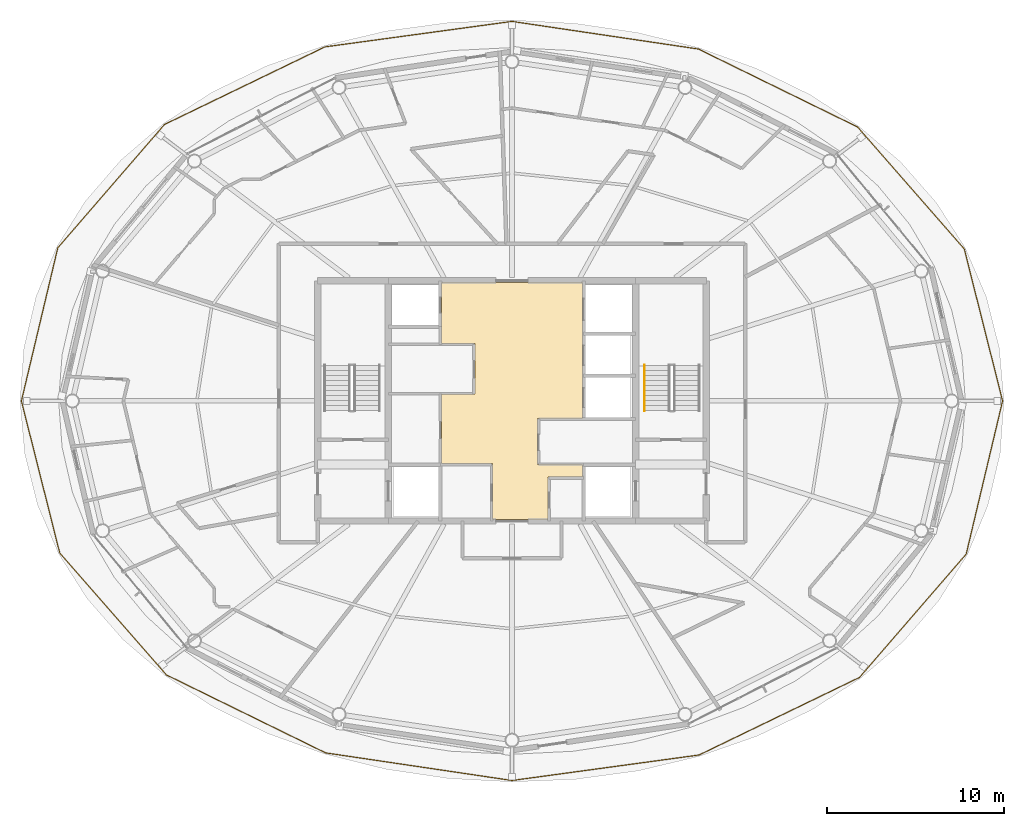
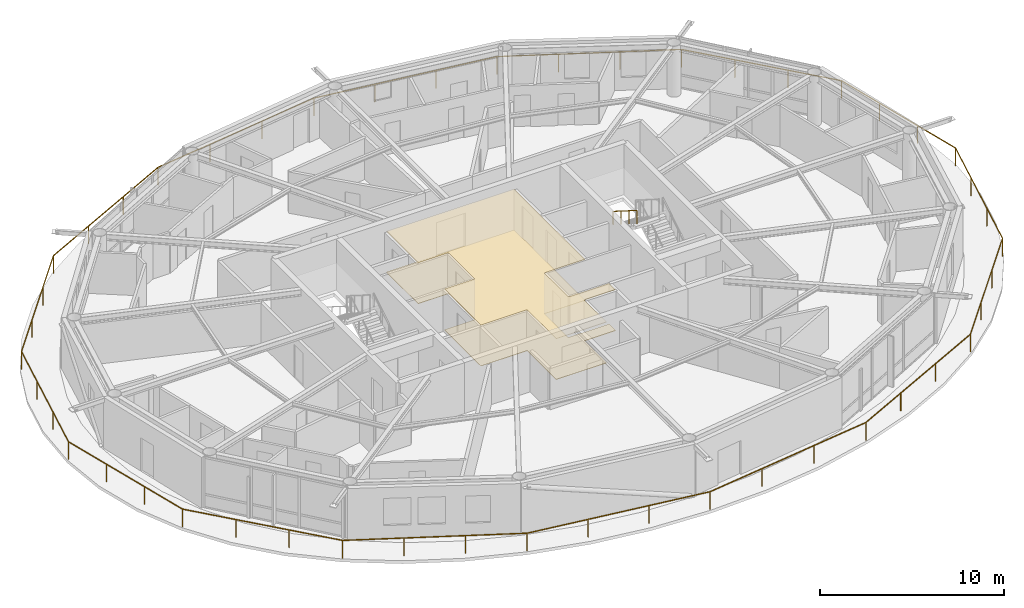
# One storey, part 21 of 22: 2 coverings, 2 railings.
"""IFC4 building model written with IfcOpenShell, lengths in metres."""

import ifcopenshell
import ifcopenshell.guid

model = None  # the IFC model being written
_history = None  # IfcOwnerHistory: only IFC2X3 demands one
_inside = {}  # id of a spatial element -> (the spatial element, [elements in it])
_under = {}  # id of a project, library or spatial element -> (it, [spatial elements below it])
_declared = {}  # id of a project -> (the project, [libraries it declares])
_typed = {}  # id of a type object -> (the type object, [elements of that type])
_made_of = {}  # id of a material, layer set ... -> (it, [elements and type objects made of it])


def new_model(schema):
    """Start an empty IFC model of exactly this schema.

    Asked for "IFC4X3", IfcOpenShell would pick the latest addendum, in which some entities
    have other attributes; the version numbers below select the first issue.
    IFC2X3 requires an IfcOwnerHistory on every rooted entity: one is made here for all.
    """
    global model, _history
    if schema == "IFC4X3":
        model = ifcopenshell.file(schema_version=(4, 3, 0, 0))
    else:
        model = ifcopenshell.file(schema=schema)
    _inside.clear()
    _under.clear()
    _declared.clear()
    _typed.clear()
    _made_of.clear()
    _history = None
    if model.schema == "IFC2X3":
        org = make("IfcOrganization", Name="unknown")
        user = make(
            "IfcPersonAndOrganization",
            ThePerson=make("IfcPerson", FamilyName="unknown"),
            TheOrganization=org,
        )
        app = make(
            "IfcApplication",
            ApplicationDeveloper=org,
            Version="unknown",
            ApplicationFullName="unknown",
            ApplicationIdentifier="unknown",
        )
        _history = make(
            "IfcOwnerHistory",
            OwningUser=user,
            OwningApplication=app,
            ChangeAction="ADDED",
            CreationDate=0,
        )
    return model


def make(cls, **values):
    """One entity of the class cls with the attributes given. An attribute that is None is left unset."""
    return model.create_entity(
        cls, **{name: value for name, value in values.items() if value is not None}
    )


def rooted(cls, **values):
    """An entity with a GlobalId (a new one), such as an element, a storey or a relation."""
    return make(cls, GlobalId=ifcopenshell.guid.new(), OwnerHistory=_history, **values)


def si_unit(unit_type, name, prefix=None):
    """IfcSIUnit, for example si_unit("LENGTHUNIT", "METRE", prefix="MILLI")."""
    return make("IfcSIUnit", UnitType=unit_type, Prefix=prefix, Name=name)


def assignment(units):
    """IfcUnitAssignment: the units of a project."""
    return None if units is None else make("IfcUnitAssignment", Units=units)


def point(xyz):
    """IfcCartesianPoint."""
    return None if xyz is None else make("IfcCartesianPoint", Coordinates=xyz)


def direction(xyz):
    """IfcDirection."""
    return None if xyz is None else make("IfcDirection", DirectionRatios=xyz)


def frame(location, z_axis=None, x_axis=None):
    """IfcAxis2Placement3D, a coordinate frame: its origin and axes. An axis left out is left unset."""
    return make(
        "IfcAxis2Placement3D",
        Location=point(location),
        Axis=direction(z_axis),
        RefDirection=direction(x_axis),
    )


def frame_2d(location, x_axis=None):
    """IfcAxis2Placement2D, a coordinate frame in the plane: its origin and x axis."""
    return make(
        "IfcAxis2Placement2D", Location=point(location), RefDirection=direction(x_axis)
    )


def origin():
    """The frame at (0, 0, 0) with its axes left unset."""
    return frame((0.0, 0.0, 0.0))


def origin_2d():
    """The frame at (0, 0) in the plane with its x axis left unset."""
    return frame_2d((0.0, 0.0))


def place(relative_to, where):
    """IfcLocalPlacement: puts the frame where relative to a parent placement (None: the world)."""
    return make(
        "IfcLocalPlacement", PlacementRelTo=relative_to, RelativePlacement=where
    )


def context(
    kind, dimensions, precision=None, world=None, true_north=None, identifier=None
):
    """IfcGeometricRepresentationContext, for example the 3D "Model" context."""
    return make(
        "IfcGeometricRepresentationContext",
        ContextIdentifier=identifier,
        ContextType=kind,
        CoordinateSpaceDimension=dimensions,
        Precision=precision,
        WorldCoordinateSystem=world,
        TrueNorth=true_north,
    )


def subcontext(parent, identifier, kind, view, scale=None):
    """IfcGeometricRepresentationSubContext, for example "Body" below "Model"."""
    return make(
        "IfcGeometricRepresentationSubContext",
        ContextIdentifier=identifier,
        ContextType=kind,
        ParentContext=parent,
        TargetScale=scale,
        TargetView=view,
    )


def project(units=None, contexts=None):
    """IfcProject with its units and contexts."""
    return rooted(
        "IfcProject",
        Name="project",
        RepresentationContexts=contexts,
        UnitsInContext=assignment(units),
    )


def spatial(cls, under=None, at=None, **own):
    """A site, building, storey or space (cls), placed at a placement, below another one or the project."""
    s = rooted(cls, ObjectPlacement=at, **own)
    if under is not None:
        _under.setdefault(under.id(), (under, []))[1].append(s)
    return s


def polyline(points):
    """IfcPolyline through the points."""
    return make("IfcPolyline", Points=[point(p) for p in points])


def profile(cls, at=None, kind="AREA", **sizes):
    """A parametric profile (cls). Its sizes go by their IFC names, for example OverallWidth=200.0."""
    return make(cls, ProfileType=kind, Position=at, **sizes)


def rectangle(**sizes):
    """IfcRectangleProfileDef."""
    return profile("IfcRectangleProfileDef", **sizes)


def outline(outer, holes=None, kind="AREA"):
    """IfcArbitraryClosedProfileDef: a profile drawn as a closed curve; with holes, ...WithVoids."""
    if holes is None:
        return make("IfcArbitraryClosedProfileDef", ProfileType=kind, OuterCurve=outer)
    return make(
        "IfcArbitraryProfileDefWithVoids",
        ProfileType=kind,
        OuterCurve=outer,
        InnerCurves=holes,
    )


def extrude(swept, where, along, depth):
    """IfcExtrudedAreaSolid: the profile swept, set in the frame where, extruded along a direction by depth."""
    return make(
        "IfcExtrudedAreaSolid",
        SweptArea=swept,
        Position=where,
        ExtrudedDirection=direction(along),
        Depth=depth,
    )


def shape(context_of_items, identifier, shape_type, items):
    """IfcShapeRepresentation: the items that make up one representation, for example the "Body"."""
    return make(
        "IfcShapeRepresentation",
        ContextOfItems=context_of_items,
        RepresentationIdentifier=identifier,
        RepresentationType=shape_type,
        Items=items,
    )


def material(Name=None, Category=None):
    """IfcMaterial."""
    return make("IfcMaterial", Name=Name, Category=Category)


def layer(
    of_material, thickness, ventilated=None, Name=None, Category=None, Priority=None
):
    """IfcMaterialLayer: one layer of a wall or slab, of a material (None: an air gap)."""
    return make(
        "IfcMaterialLayer",
        Material=of_material,
        LayerThickness=thickness,
        IsVentilated=ventilated,
        Name=Name,
        Category=Category,
        Priority=Priority,
    )


def layer_set(layers, Name=None):
    """IfcMaterialLayerSet."""
    return make("IfcMaterialLayerSet", MaterialLayers=layers, LayerSetName=Name)


def made_of(thing, what):
    """Note that an element or type object is made of a material, layer set ...; save() writes the relation."""
    if what is not None:
        _made_of.setdefault(what.id(), (what, []))[1].append(thing)
    return thing


def type_object(cls, material=None, **own):
    """A type object (cls), such as IfcWallType, which elements share."""
    return made_of(rooted(cls, **own), material)


def element(
    cls,
    number,
    at=None,
    inside=None,
    cuts=None,
    type_object=None,
    material=None,
    context=None,
    identifier="Body",
    shape_type=None,
    held_by="IfcProductDefinitionShape",
    body=None,
    shapes=None,
    **own,
):
    """One element of the class cls, such as IfcWall. Its Tag is "e" and its number.

    at: its placement. inside: the storey or other place that contains it. cuts: it is an
    opening in that element (IfcRelVoidsElement). A single representation is given by context,
    identifier, shape_type and body (its items); several are given by shapes. held_by: the class
    of the entity that holds the representations. save() writes the other relations.
    """
    e = rooted(cls, Tag="e%d" % number, ObjectPlacement=at, **own)
    if body is not None:
        shapes = [shape(context, identifier, shape_type, body)]
    if shapes is not None:
        e.Representation = make(held_by, Representations=shapes)
    if inside is not None:
        _inside.setdefault(inside.id(), (inside, []))[1].append(e)
    if cuts is not None:
        rooted(
            "IfcRelVoidsElement", RelatingBuildingElement=cuts, RelatedOpeningElement=e
        )
    if type_object is not None:
        _typed.setdefault(type_object.id(), (type_object, []))[1].append(e)
    return made_of(e, material)


def aggregate(whole, parts):
    """IfcRelAggregates: a whole, such as a stair, and the parts it consists of."""
    return rooted("IfcRelAggregates", RelatingObject=whole, RelatedObjects=parts)


def save(model, path):
    """Write the relations noted so far, then the file.

    IfcRelAggregates (storeys below a building ...), IfcRelContainedInSpatialStructure (elements
    in a storey), IfcRelDefinesByType, IfcRelAssociatesMaterial and IfcRelDeclares: one each for
    every whole, place, type object, material and project.
    """
    for whole, parts in _under.values():
        aggregate(whole, parts)
    for where, things in _inside.values():
        rooted(
            "IfcRelContainedInSpatialStructure",
            RelatedElements=things,
            RelatingStructure=where,
        )
    for kind, things in _typed.values():
        rooted("IfcRelDefinesByType", RelatedObjects=things, RelatingType=kind)
    for what, things in _made_of.values():
        rooted("IfcRelAssociatesMaterial", RelatedObjects=things, RelatingMaterial=what)
    for by, libraries in _declared.values():
        rooted("IfcRelDeclares", RelatingContext=by, RelatedDefinitions=libraries)
    model.write(path)


model = new_model("IFC4")

# Units and contexts
model_context = context("Model", 3, precision=1e-05, world=origin(), true_north=direction((0.0, 1.0)))
body_context = subcontext(model_context, "Body", "Model", "MODEL_VIEW")
ifc_project = project(units=[si_unit("LENGTHUNIT", "METRE"), si_unit("AREAUNIT", "SQUARE_METRE"), si_unit("VOLUMEUNIT", "CUBIC_METRE"), si_unit("PLANEANGLEUNIT", "RADIAN"), si_unit("MASSUNIT", "GRAM", prefix="KILO")], contexts=[model_context])

# Site, building, storey
site_placement = place(None, origin())
site = spatial("IfcSite", under=ifc_project, at=site_placement, CompositionType="ELEMENT")
building_placement = place(site_placement, origin())
building = spatial("IfcBuilding", under=site, at=building_placement, Name="Sarneth Arch Tower", CompositionType="ELEMENT")
storey_placement = place(building_placement, frame((0.0, 0.0, 283.800048828125)))
storey = spatial("IfcBuildingStorey", under=building, at=storey_placement, Name="L73", CompositionType="ELEMENT", Elevation=283.800048828125)

# Coverings
ifc_material_1 = material(Name="Perforated acoustic gypsum ceiling board")
ifc_layer_1 = layer(ifc_material_1, 0.02490234375)
ifc_layer_set_1 = layer_set([ifc_layer_1], Name="Perforated acoustic gypsum ceiling board")
covering_type_1 = type_object("IfcCoveringType", Name="COV-CEIL-GYP", PredefinedType="CEILING", material=ifc_layer_set_1)
covering_1_placement = place(storey_placement, frame((0.0, 0.0, 2.699951171875)))
element("IfcCovering", 1, at=covering_1_placement, inside=storey, type_object=covering_type_1, Name="L73 Lift lobby acoustic ceiling", PredefinedType="CEILING", context=body_context, shape_type="SweptSolid", body=[
    extrude(outline(polyline([(52.0, 41.0), (49.449951171875, 41.0), (49.449951171875, 38.39990234375), (52.0, 38.39990234375), (52.0, 37.699951171875), (50.050048828125, 37.699951171875), (50.050048828125, 35.300048828125), (46.89990234375, 35.300048828125), (46.89990234375, 38.449951171875), (44.0, 38.449951171875), (44.0, 42.39990234375), (45.89990234375, 42.39990234375), (45.89990234375, 45.25), (44.0, 45.25), (44.0, 48.699951171875), (52.0, 48.699951171875), (52.0, 41.0)])), origin(), (0.0, 0.0, 1.0), 0.030029296875),
])
ifc_material_2 = material(Name="Honed granite stone flooring", Category="masonry")
ifc_layer_2 = layer(ifc_material_2, 0.030029296875)
ifc_layer_set_2 = layer_set([ifc_layer_2], Name="Honed granite stone flooring")
covering_type_2 = type_object("IfcCoveringType", Name="COV-FLR-STONE", PredefinedType="FLOORING", material=ifc_layer_set_2)
covering_2_placement = place(storey_placement, origin())
element("IfcCovering", 2, at=covering_2_placement, inside=storey, type_object=covering_type_2, Name="L73 Lift lobby granite flooring", PredefinedType="FLOORING", context=body_context, shape_type="SweptSolid", body=[
    extrude(outline(polyline([(52.0, 41.0), (49.449951171875, 41.0), (49.449951171875, 38.39990234375), (52.0, 38.39990234375), (52.0, 37.699951171875), (50.050048828125, 37.699951171875), (50.050048828125, 35.300048828125), (46.89990234375, 35.300048828125), (46.89990234375, 38.449951171875), (44.0, 38.449951171875), (44.0, 42.39990234375), (45.89990234375, 42.39990234375), (45.89990234375, 45.25), (44.0, 45.25), (44.0, 48.699951171875), (52.0, 48.699951171875), (52.0, 41.0)])), origin(), (0.0, 0.0, 1.0), 0.030029296875),
])

# Railings
ifc_material_3 = material(Name="Laminated structural glass infill with Stainless Steel 316 top rail and posts", Category="steel")
railing_type_1 = type_object("IfcRailingType", Name="RAIL-BALC-1200", PredefinedType="BALUSTRADE", material=ifc_material_3)
railing_1_placement = place(storey_placement, frame((75.768310546875, 42.0, 0.0)))
element("IfcRailing", 3, at=railing_1_placement, inside=storey, type_object=railing_type_1, Name="L73 Helical balcony glass balustrade", PredefinedType="BALUSTRADE", context=body_context, shape_type="SweptSolid", body=[
    extrude(rectangle(XDim=0.048095703125, YDim=0.048095703125, at=origin_2d()), frame((0.0, 0.0, 1.17578125), z_axis=(-0.244561103578, 0.96963388277, 0.0), x_axis=(-0.96963388277, -0.244561103578, 0.0)), (0.0, 0.0, 1.0), 8.874755859375),
    extrude(rectangle(XDim=0.048095703125, YDim=0.048095703125, at=origin_2d()), frame((-2.17041015625, 8.605224609375, 1.17578125), z_axis=(-0.658408442703, 0.75266082838, 0.0), x_axis=(-0.75266082838, -0.658408442703, 0.0)), (0.0, 0.0, 1.0), 9.1669921875),
    extrude(rectangle(XDim=0.048095703125, YDim=0.048095703125, at=origin_2d()), frame((-8.2060546875, 15.5048828125, 1.17578125), z_axis=(-0.898079768789, 0.439832614629, 0.0), x_axis=(-0.439832614629, -0.898079768789, 0.0)), (0.0, 0.0, 1.0), 10.036376953125),
    extrude(rectangle(XDim=0.048095703125, YDim=0.048095703125, at=origin_2d()), frame((-17.219482421875, 19.919189453125, 1.17578125), z_axis=(-0.989194118456, 0.146611718538, 0.0), x_axis=(-0.146611718538, -0.989194118456, 0.0)), (0.0, 0.0, 1.0), 10.6640625),
    extrude(rectangle(XDim=0.048095703125, YDim=0.048095703125, at=origin_2d()), frame((-27.768310546875, 21.482666015625, 1.17578125), z_axis=(-0.990842816923, -0.135020413837, 0.0), x_axis=(0.135020413837, -0.990842816923, 0.0)), (0.0, 0.0, 1.0), 10.6845703125),
    extrude(rectangle(XDim=0.048095703125, YDim=0.048095703125, at=origin_2d()), frame((-38.35498046875, 20.0400390625, 1.17578125), z_axis=(-0.900286527893, -0.435297791971, 0.0), x_axis=(0.435297791971, -0.900286527893, 0.0)), (0.0, 0.0, 1.0), 10.08935546875),
    extrude(rectangle(XDim=0.048095703125, YDim=0.048095703125, at=origin_2d()), frame((-47.438232421875, 15.648193359375, 1.17578125), z_axis=(-0.654200188269, -0.756321435415, 0.0), x_axis=(0.756321435415, -0.654200188269, 0.0)), (0.0, 0.0, 1.0), 9.23046875),
    extrude(rectangle(XDim=0.048095703125, YDim=0.048095703125, at=origin_2d()), frame((-53.476806640625, 8.6669921875, 1.17578125), z_axis=(-0.231221596617, -0.972901111757, 0.0), x_axis=(0.972901111757, -0.231221596617, 0.0)), (0.0, 0.0, 1.0), 8.908447265625),
    extrude(rectangle(XDim=0.048095703125, YDim=0.048095703125, at=origin_2d()), frame((-55.53662109375, 0.0, 1.17578125), z_axis=(0.244561103578, -0.96963388277, 0.0), x_axis=(0.96963388277, 0.244561103578, 0.0)), (0.0, 0.0, 1.0), 8.874755859375),
    extrude(rectangle(XDim=0.048095703125, YDim=0.048095703125, at=origin_2d()), frame((-53.3662109375, -8.605224609375, 1.17578125), z_axis=(0.658408442703, -0.75266082838, 0.0), x_axis=(0.75266082838, 0.658408442703, 0.0)), (0.0, 0.0, 1.0), 9.1669921875),
    extrude(rectangle(XDim=0.048095703125, YDim=0.048095703125, at=origin_2d()), frame((-47.33056640625, -15.5048828125, 1.17578125), z_axis=(0.898079768789, -0.439832614629, 0.0), x_axis=(0.439832614629, 0.898079768789, 0.0)), (0.0, 0.0, 1.0), 10.036376953125),
    extrude(rectangle(XDim=0.048095703125, YDim=0.048095703125, at=origin_2d()), frame((-38.317138671875, -19.919189453125, 1.17578125), z_axis=(0.989194118456, -0.146611718538, 0.0), x_axis=(0.146611718538, 0.989194118456, 0.0)), (0.0, 0.0, 1.0), 10.6640625),
    extrude(rectangle(XDim=0.048095703125, YDim=0.048095703125, at=origin_2d()), frame((-27.768310546875, -21.482666015625, 1.17578125), z_axis=(0.990842816923, 0.135020413837, 0.0), x_axis=(-0.135020413837, 0.990842816923, 0.0)), (0.0, 0.0, 1.0), 10.6845703125),
    extrude(rectangle(XDim=0.048095703125, YDim=0.048095703125, at=origin_2d()), frame((-17.181640625, -20.0400390625, 1.17578125), z_axis=(0.900286527893, 0.435297791971, 0.0), x_axis=(-0.435297791971, 0.900286527893, 0.0)), (0.0, 0.0, 1.0), 10.08935546875),
    extrude(rectangle(XDim=0.048095703125, YDim=0.048095703125, at=origin_2d()), frame((-8.098388671875, -15.648193359375, 1.17578125), z_axis=(0.654200188269, 0.756321435415, 0.0), x_axis=(-0.756321435415, 0.654200188269, 0.0)), (0.0, 0.0, 1.0), 9.23046875),
    extrude(rectangle(XDim=0.048095703125, YDim=0.048095703125, at=origin_2d()), frame((-2.059814453125, -8.6669921875, 1.17578125), z_axis=(0.231221596617, 0.972901111757, 0.0), x_axis=(-0.972901111757, 0.231221596617, 0.0)), (0.0, 0.0, 1.0), 8.908447265625),
    extrude(rectangle(XDim=0.0419921875, YDim=0.0419921875, at=origin_2d()), origin(), (0.0, 0.0, 1.0), 1.15185546875),
    extrude(rectangle(XDim=0.0419921875, YDim=0.0419921875, at=origin_2d()), frame((-0.723388671875, 2.868408203125, 0.0)), (0.0, 0.0, 1.0), 1.15185546875),
    extrude(rectangle(XDim=0.0419921875, YDim=0.0419921875, at=origin_2d()), frame((-1.447021484375, 5.73681640625, 0.0)), (0.0, 0.0, 1.0), 1.15185546875),
    extrude(rectangle(XDim=0.0419921875, YDim=0.0419921875, at=origin_2d()), frame((-2.17041015625, 8.605224609375, 0.0)), (0.0, 0.0, 1.0), 1.15185546875),
    extrude(rectangle(XDim=0.0419921875, YDim=0.0419921875, at=origin_2d()), frame((-4.182373046875, 10.905029296875, 0.0)), (0.0, 0.0, 1.0), 1.15185546875),
    extrude(rectangle(XDim=0.0419921875, YDim=0.0419921875, at=origin_2d()), frame((-6.194091796875, 13.205078125, 0.0)), (0.0, 0.0, 1.0), 1.15185546875),
    extrude(rectangle(XDim=0.0419921875, YDim=0.0419921875, at=origin_2d()), frame((-8.2060546875, 15.5048828125, 0.0)), (0.0, 0.0, 1.0), 1.15185546875),
    extrude(rectangle(XDim=0.0419921875, YDim=0.0419921875, at=origin_2d()), frame((-11.21044921875, 16.976318359375, 0.0)), (0.0, 0.0, 1.0), 1.15185546875),
    extrude(rectangle(XDim=0.0419921875, YDim=0.0419921875, at=origin_2d()), frame((-14.215087890625, 18.44775390625, 0.0)), (0.0, 0.0, 1.0), 1.15185546875),
    extrude(rectangle(XDim=0.0419921875, YDim=0.0419921875, at=origin_2d()), frame((-17.219482421875, 19.919189453125, 0.0)), (0.0, 0.0, 1.0), 1.15185546875),
    extrude(rectangle(XDim=0.0419921875, YDim=0.0419921875, at=origin_2d()), frame((-20.73583984375, 20.4404296875, 0.0)), (0.0, 0.0, 1.0), 1.15185546875),
    extrude(rectangle(XDim=0.0419921875, YDim=0.0419921875, at=origin_2d()), frame((-24.251953125, 20.96142578125, 0.0)), (0.0, 0.0, 1.0), 1.15185546875),
    extrude(rectangle(XDim=0.0419921875, YDim=0.0419921875, at=origin_2d()), frame((-27.768310546875, 21.482666015625, 0.0)), (0.0, 0.0, 1.0), 1.15185546875),
    extrude(rectangle(XDim=0.0419921875, YDim=0.0419921875, at=origin_2d()), frame((-31.297119140625, 21.001708984375, 0.0)), (0.0, 0.0, 1.0), 1.15185546875),
    extrude(rectangle(XDim=0.0419921875, YDim=0.0419921875, at=origin_2d()), frame((-34.826171875, 20.52099609375, 0.0)), (0.0, 0.0, 1.0), 1.15185546875),
    extrude(rectangle(XDim=0.0419921875, YDim=0.0419921875, at=origin_2d()), frame((-38.35498046875, 20.0400390625, 0.0)), (0.0, 0.0, 1.0), 1.15185546875),
    extrude(rectangle(XDim=0.0419921875, YDim=0.0419921875, at=origin_2d()), frame((-41.3828125, 18.576171875, 0.0)), (0.0, 0.0, 1.0), 1.15185546875),
    extrude(rectangle(XDim=0.0419921875, YDim=0.0419921875, at=origin_2d()), frame((-44.410400390625, 17.112060546875, 0.0)), (0.0, 0.0, 1.0), 1.15185546875),
    extrude(rectangle(XDim=0.0419921875, YDim=0.0419921875, at=origin_2d()), frame((-47.438232421875, 15.648193359375, 0.0)), (0.0, 0.0, 1.0), 1.15185546875),
    extrude(rectangle(XDim=0.0419921875, YDim=0.0419921875, at=origin_2d()), frame((-49.451171875, 13.321044921875, 0.0)), (0.0, 0.0, 1.0), 1.15185546875),
    extrude(rectangle(XDim=0.0419921875, YDim=0.0419921875, at=origin_2d()), frame((-51.4638671875, 10.994140625, 0.0)), (0.0, 0.0, 1.0), 1.15185546875),
    extrude(rectangle(XDim=0.0419921875, YDim=0.0419921875, at=origin_2d()), frame((-53.476806640625, 8.6669921875, 0.0)), (0.0, 0.0, 1.0), 1.15185546875),
    extrude(rectangle(XDim=0.0419921875, YDim=0.0419921875, at=origin_2d()), frame((-54.163330078125, 5.778076171875, 0.0)), (0.0, 0.0, 1.0), 1.15185546875),
    extrude(rectangle(XDim=0.0419921875, YDim=0.0419921875, at=origin_2d()), frame((-54.85009765625, 2.888916015625, 0.0)), (0.0, 0.0, 1.0), 1.15185546875),
    extrude(rectangle(XDim=0.0419921875, YDim=0.0419921875, at=origin_2d()), frame((-55.53662109375, 0.0, 0.0)), (0.0, 0.0, 1.0), 1.15185546875),
    extrude(rectangle(XDim=0.0419921875, YDim=0.0419921875, at=origin_2d()), frame((-54.813232421875, -2.868408203125, 0.0)), (0.0, 0.0, 1.0), 1.15185546875),
    extrude(rectangle(XDim=0.0419921875, YDim=0.0419921875, at=origin_2d()), frame((-54.089599609375, -5.73681640625, 0.0)), (0.0, 0.0, 1.0), 1.15185546875),
    extrude(rectangle(XDim=0.0419921875, YDim=0.0419921875, at=origin_2d()), frame((-53.3662109375, -8.605224609375, 0.0)), (0.0, 0.0, 1.0), 1.15185546875),
    extrude(rectangle(XDim=0.0419921875, YDim=0.0419921875, at=origin_2d()), frame((-51.354248046875, -10.905029296875, 0.0)), (0.0, 0.0, 1.0), 1.15185546875),
    extrude(rectangle(XDim=0.0419921875, YDim=0.0419921875, at=origin_2d()), frame((-49.342529296875, -13.205078125, 0.0)), (0.0, 0.0, 1.0), 1.15185546875),
    extrude(rectangle(XDim=0.0419921875, YDim=0.0419921875, at=origin_2d()), frame((-47.33056640625, -15.5048828125, 0.0)), (0.0, 0.0, 1.0), 1.15185546875),
    extrude(rectangle(XDim=0.0419921875, YDim=0.0419921875, at=origin_2d()), frame((-44.326171875, -16.976318359375, 0.0)), (0.0, 0.0, 1.0), 1.15185546875),
    extrude(rectangle(XDim=0.0419921875, YDim=0.0419921875, at=origin_2d()), frame((-41.321533203125, -18.44775390625, 0.0)), (0.0, 0.0, 1.0), 1.15185546875),
    extrude(rectangle(XDim=0.0419921875, YDim=0.0419921875, at=origin_2d()), frame((-38.317138671875, -19.919189453125, 0.0)), (0.0, 0.0, 1.0), 1.15185546875),
    extrude(rectangle(XDim=0.0419921875, YDim=0.0419921875, at=origin_2d()), frame((-34.80078125, -20.4404296875, 0.0)), (0.0, 0.0, 1.0), 1.15185546875),
    extrude(rectangle(XDim=0.0419921875, YDim=0.0419921875, at=origin_2d()), frame((-31.28466796875, -20.96142578125, 0.0)), (0.0, 0.0, 1.0), 1.15185546875),
    extrude(rectangle(XDim=0.0419921875, YDim=0.0419921875, at=origin_2d()), frame((-27.768310546875, -21.482666015625, 0.0)), (0.0, 0.0, 1.0), 1.15185546875),
    extrude(rectangle(XDim=0.0419921875, YDim=0.0419921875, at=origin_2d()), frame((-24.239501953125, -21.001708984375, 0.0)), (0.0, 0.0, 1.0), 1.15185546875),
    extrude(rectangle(XDim=0.0419921875, YDim=0.0419921875, at=origin_2d()), frame((-20.71044921875, -20.52099609375, 0.0)), (0.0, 0.0, 1.0), 1.15185546875),
    extrude(rectangle(XDim=0.0419921875, YDim=0.0419921875, at=origin_2d()), frame((-17.181640625, -20.0400390625, 0.0)), (0.0, 0.0, 1.0), 1.15185546875),
    extrude(rectangle(XDim=0.0419921875, YDim=0.0419921875, at=origin_2d()), frame((-14.15380859375, -18.576171875, 0.0)), (0.0, 0.0, 1.0), 1.15185546875),
    extrude(rectangle(XDim=0.0419921875, YDim=0.0419921875, at=origin_2d()), frame((-11.126220703125, -17.112060546875, 0.0)), (0.0, 0.0, 1.0), 1.15185546875),
    extrude(rectangle(XDim=0.0419921875, YDim=0.0419921875, at=origin_2d()), frame((-8.098388671875, -15.648193359375, 0.0)), (0.0, 0.0, 1.0), 1.15185546875),
    extrude(rectangle(XDim=0.0419921875, YDim=0.0419921875, at=origin_2d()), frame((-6.08544921875, -13.321044921875, 0.0)), (0.0, 0.0, 1.0), 1.15185546875),
    extrude(rectangle(XDim=0.0419921875, YDim=0.0419921875, at=origin_2d()), frame((-4.07275390625, -10.994140625, 0.0)), (0.0, 0.0, 1.0), 1.15185546875),
    extrude(rectangle(XDim=0.0419921875, YDim=0.0419921875, at=origin_2d()), frame((-2.059814453125, -8.6669921875, 0.0)), (0.0, 0.0, 1.0), 1.15185546875),
    extrude(rectangle(XDim=0.0419921875, YDim=0.0419921875, at=origin_2d()), frame((-1.373291015625, -5.778076171875, 0.0)), (0.0, 0.0, 1.0), 1.15185546875),
    extrude(rectangle(XDim=0.0419921875, YDim=0.0419921875, at=origin_2d()), frame((-0.6865234375, -2.888916015625, 0.0)), (0.0, 0.0, 1.0), 1.15185546875),
])
ifc_material_4 = material(Name="Brushed Stainless Steel 304 tubular handrail", Category="steel")
railing_type_2 = type_object("IfcRailingType", Name="RAIL-HANDRAIL-900", PredefinedType="HANDRAIL", material=ifc_material_4)
railing_2_placement = place(storey_placement, frame((55.5, 44.014892578125, 1.97998046875)))
element("IfcRailing", 4, at=railing_2_placement, inside=storey, type_object=railing_type_2, Name="L73 ST-2 stair handrail 2", PredefinedType="HANDRAIL", context=body_context, shape_type="SweptSolid", body=[
    extrude(rectangle(XDim=0.048095703125, YDim=0.048095703125, at=origin_2d()), frame((0.0, 0.0, 0.8759765625), z_axis=(0.0, -0.845502289212, 0.533971796014), x_axis=(1.0, 0.0, 0.0)), (0.0, 0.0, 1.0), 3.03369140625),
    extrude(rectangle(XDim=0.0419921875, YDim=0.0419921875, at=origin_2d()), origin(), (0.0, 0.0, 1.0), 0.851806640625),
    extrude(rectangle(XDim=0.0419921875, YDim=0.0419921875, at=origin_2d()), frame((0.0, -0.85498046875, 0.5400390625)), (0.0, 0.0, 1.0), 0.851806640625),
    extrude(rectangle(XDim=0.0419921875, YDim=0.0419921875, at=origin_2d()), frame((0.0, -1.7099609375, 1.079833984375)), (0.0, 0.0, 1.0), 0.851806640625),
    extrude(rectangle(XDim=0.0419921875, YDim=0.0419921875, at=origin_2d()), frame((0.0, -2.56494140625, 1.619873046875)), (0.0, 0.0, 1.0), 0.851806640625),
])

save(model, "model.ifc")
